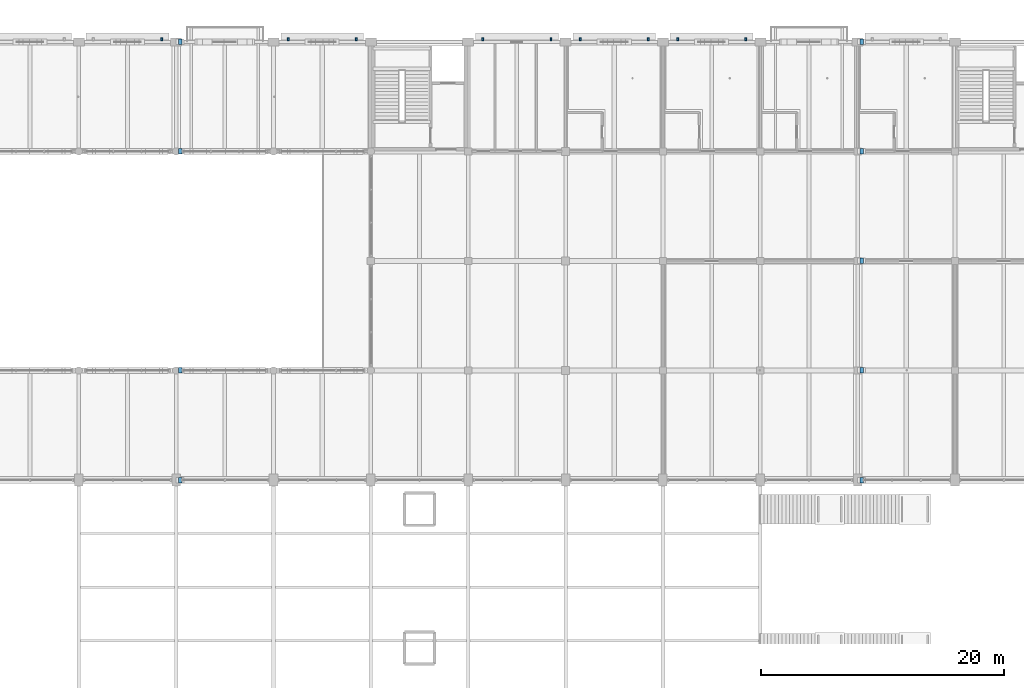
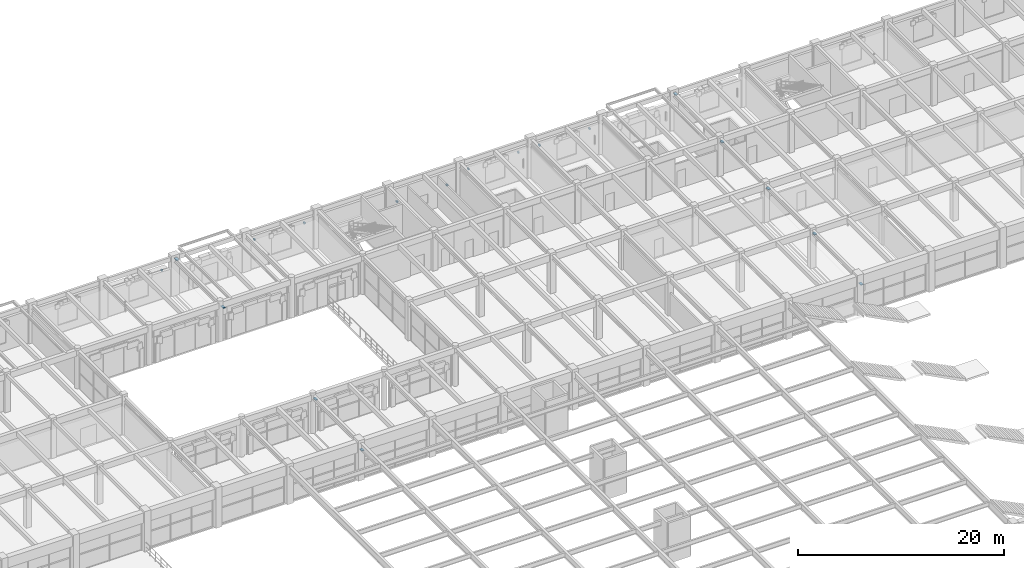
# One storey, part 131 of 144: 18 discrete accessories.
"""IFC4 building model written with IfcOpenShell, lengths in metres."""

import ifcopenshell
import ifcopenshell.guid

model = None  # the IFC model being written
_history = None  # IfcOwnerHistory: only IFC2X3 demands one
_inside = {}  # id of a spatial element -> (the spatial element, [elements in it])
_under = {}  # id of a project, library or spatial element -> (it, [spatial elements below it])
_declared = {}  # id of a project -> (the project, [libraries it declares])
_typed = {}  # id of a type object -> (the type object, [elements of that type])
_made_of = {}  # id of a material, layer set ... -> (it, [elements and type objects made of it])


def new_model(schema):
    """Start an empty IFC model of exactly this schema.

    Asked for "IFC4X3", IfcOpenShell would pick the latest addendum, in which some entities
    have other attributes; the version numbers below select the first issue.
    IFC2X3 requires an IfcOwnerHistory on every rooted entity: one is made here for all.
    """
    global model, _history
    if schema == "IFC4X3":
        model = ifcopenshell.file(schema_version=(4, 3, 0, 0))
    else:
        model = ifcopenshell.file(schema=schema)
    _inside.clear()
    _under.clear()
    _declared.clear()
    _typed.clear()
    _made_of.clear()
    _history = None
    if model.schema == "IFC2X3":
        org = make("IfcOrganization", Name="unknown")
        user = make(
            "IfcPersonAndOrganization",
            ThePerson=make("IfcPerson", FamilyName="unknown"),
            TheOrganization=org,
        )
        app = make(
            "IfcApplication",
            ApplicationDeveloper=org,
            Version="unknown",
            ApplicationFullName="unknown",
            ApplicationIdentifier="unknown",
        )
        _history = make(
            "IfcOwnerHistory",
            OwningUser=user,
            OwningApplication=app,
            ChangeAction="ADDED",
            CreationDate=0,
        )
    return model


def make(cls, **values):
    """One entity of the class cls with the attributes given. An attribute that is None is left unset."""
    return model.create_entity(
        cls, **{name: value for name, value in values.items() if value is not None}
    )


def rooted(cls, **values):
    """An entity with a GlobalId (a new one), such as an element, a storey or a relation."""
    return make(cls, GlobalId=ifcopenshell.guid.new(), OwnerHistory=_history, **values)


def si_unit(unit_type, name, prefix=None):
    """IfcSIUnit, for example si_unit("LENGTHUNIT", "METRE", prefix="MILLI")."""
    return make("IfcSIUnit", UnitType=unit_type, Prefix=prefix, Name=name)


def assignment(units):
    """IfcUnitAssignment: the units of a project."""
    return None if units is None else make("IfcUnitAssignment", Units=units)


def point(xyz):
    """IfcCartesianPoint."""
    return None if xyz is None else make("IfcCartesianPoint", Coordinates=xyz)


def direction(xyz):
    """IfcDirection."""
    return None if xyz is None else make("IfcDirection", DirectionRatios=xyz)


def frame(location, z_axis=None, x_axis=None):
    """IfcAxis2Placement3D, a coordinate frame: its origin and axes. An axis left out is left unset."""
    return make(
        "IfcAxis2Placement3D",
        Location=point(location),
        Axis=direction(z_axis),
        RefDirection=direction(x_axis),
    )


def frame_2d(location, x_axis=None):
    """IfcAxis2Placement2D, a coordinate frame in the plane: its origin and x axis."""
    return make(
        "IfcAxis2Placement2D", Location=point(location), RefDirection=direction(x_axis)
    )


def origin():
    """The frame at (0, 0, 0) with its axes left unset."""
    return frame((0.0, 0.0, 0.0))


def origin_2d():
    """The frame at (0, 0) in the plane with its x axis left unset."""
    return frame_2d((0.0, 0.0))


def place(relative_to, where):
    """IfcLocalPlacement: puts the frame where relative to a parent placement (None: the world)."""
    return make(
        "IfcLocalPlacement", PlacementRelTo=relative_to, RelativePlacement=where
    )


def context(
    kind, dimensions, precision=None, world=None, true_north=None, identifier=None
):
    """IfcGeometricRepresentationContext, for example the 3D "Model" context."""
    return make(
        "IfcGeometricRepresentationContext",
        ContextIdentifier=identifier,
        ContextType=kind,
        CoordinateSpaceDimension=dimensions,
        Precision=precision,
        WorldCoordinateSystem=world,
        TrueNorth=true_north,
    )


def subcontext(parent, identifier, kind, view, scale=None):
    """IfcGeometricRepresentationSubContext, for example "Body" below "Model"."""
    return make(
        "IfcGeometricRepresentationSubContext",
        ContextIdentifier=identifier,
        ContextType=kind,
        ParentContext=parent,
        TargetScale=scale,
        TargetView=view,
    )


def project(units=None, contexts=None):
    """IfcProject with its units and contexts."""
    return rooted(
        "IfcProject",
        Name="project",
        RepresentationContexts=contexts,
        UnitsInContext=assignment(units),
    )


def spatial(cls, under=None, at=None, **own):
    """A site, building, storey or space (cls), placed at a placement, below another one or the project."""
    s = rooted(cls, ObjectPlacement=at, **own)
    if under is not None:
        _under.setdefault(under.id(), (under, []))[1].append(s)
    return s


def profile(cls, at=None, kind="AREA", **sizes):
    """A parametric profile (cls). Its sizes go by their IFC names, for example OverallWidth=200.0."""
    return make(cls, ProfileType=kind, Position=at, **sizes)


def rectangle(**sizes):
    """IfcRectangleProfileDef."""
    return profile("IfcRectangleProfileDef", **sizes)


def extrude(swept, where, along, depth):
    """IfcExtrudedAreaSolid: the profile swept, set in the frame where, extruded along a direction by depth."""
    return make(
        "IfcExtrudedAreaSolid",
        SweptArea=swept,
        Position=where,
        ExtrudedDirection=direction(along),
        Depth=depth,
    )


def shape(context_of_items, identifier, shape_type, items):
    """IfcShapeRepresentation: the items that make up one representation, for example the "Body"."""
    return make(
        "IfcShapeRepresentation",
        ContextOfItems=context_of_items,
        RepresentationIdentifier=identifier,
        RepresentationType=shape_type,
        Items=items,
    )


def material(Name=None, Category=None):
    """IfcMaterial."""
    return make("IfcMaterial", Name=Name, Category=Category)


def layer(
    of_material, thickness, ventilated=None, Name=None, Category=None, Priority=None
):
    """IfcMaterialLayer: one layer of a wall or slab, of a material (None: an air gap)."""
    return make(
        "IfcMaterialLayer",
        Material=of_material,
        LayerThickness=thickness,
        IsVentilated=ventilated,
        Name=Name,
        Category=Category,
        Priority=Priority,
    )


def layer_set(layers, Name=None):
    """IfcMaterialLayerSet."""
    return make("IfcMaterialLayerSet", MaterialLayers=layers, LayerSetName=Name)


def made_of(thing, what):
    """Note that an element or type object is made of a material, layer set ...; save() writes the relation."""
    if what is not None:
        _made_of.setdefault(what.id(), (what, []))[1].append(thing)
    return thing


def type_object(cls, material=None, **own):
    """A type object (cls), such as IfcWallType, which elements share."""
    return made_of(rooted(cls, **own), material)


def element(
    cls,
    number,
    at=None,
    inside=None,
    cuts=None,
    type_object=None,
    material=None,
    context=None,
    identifier="Body",
    shape_type=None,
    held_by="IfcProductDefinitionShape",
    body=None,
    shapes=None,
    **own,
):
    """One element of the class cls, such as IfcWall. Its Tag is "e" and its number.

    at: its placement. inside: the storey or other place that contains it. cuts: it is an
    opening in that element (IfcRelVoidsElement). A single representation is given by context,
    identifier, shape_type and body (its items); several are given by shapes. held_by: the class
    of the entity that holds the representations. save() writes the other relations.
    """
    e = rooted(cls, Tag="e%d" % number, ObjectPlacement=at, **own)
    if body is not None:
        shapes = [shape(context, identifier, shape_type, body)]
    if shapes is not None:
        e.Representation = make(held_by, Representations=shapes)
    if inside is not None:
        _inside.setdefault(inside.id(), (inside, []))[1].append(e)
    if cuts is not None:
        rooted(
            "IfcRelVoidsElement", RelatingBuildingElement=cuts, RelatedOpeningElement=e
        )
    if type_object is not None:
        _typed.setdefault(type_object.id(), (type_object, []))[1].append(e)
    return made_of(e, material)


def aggregate(whole, parts):
    """IfcRelAggregates: a whole, such as a stair, and the parts it consists of."""
    return rooted("IfcRelAggregates", RelatingObject=whole, RelatedObjects=parts)


def save(model, path):
    """Write the relations noted so far, then the file.

    IfcRelAggregates (storeys below a building ...), IfcRelContainedInSpatialStructure (elements
    in a storey), IfcRelDefinesByType, IfcRelAssociatesMaterial and IfcRelDeclares: one each for
    every whole, place, type object, material and project.
    """
    for whole, parts in _under.values():
        aggregate(whole, parts)
    for where, things in _inside.values():
        rooted(
            "IfcRelContainedInSpatialStructure",
            RelatedElements=things,
            RelatingStructure=where,
        )
    for kind, things in _typed.values():
        rooted("IfcRelDefinesByType", RelatedObjects=things, RelatingType=kind)
    for what, things in _made_of.values():
        rooted("IfcRelAssociatesMaterial", RelatedObjects=things, RelatingMaterial=what)
    for by, libraries in _declared.values():
        rooted("IfcRelDeclares", RelatingContext=by, RelatedDefinitions=libraries)
    model.write(path)


model = new_model("IFC4")

# Units and contexts
model_context = context("Model", 3, precision=1e-05, world=origin(), true_north=direction((0.0, 1.0)))
body_context = subcontext(model_context, "Body", "Model", "MODEL_VIEW")
ifc_project = project(units=[si_unit("LENGTHUNIT", "METRE"), si_unit("AREAUNIT", "SQUARE_METRE"), si_unit("VOLUMEUNIT", "CUBIC_METRE"), si_unit("PLANEANGLEUNIT", "RADIAN"), si_unit("MASSUNIT", "GRAM", prefix="KILO")], contexts=[model_context])

# Site, building, storey
site_placement = place(None, origin())
site = spatial("IfcSite", under=ifc_project, at=site_placement, CompositionType="ELEMENT")
building_placement = place(site_placement, origin())
building = spatial("IfcBuilding", under=site, at=building_placement, Name="Varnabhumi Central Station", CompositionType="ELEMENT")
storey_placement = place(building_placement, frame((0.0, 0.0, 4.800048828125)))
storey = spatial("IfcBuildingStorey", under=building, at=storey_placement, Name="L01", CompositionType="ELEMENT", Elevation=4.800048828125)

# Discrete accessories
ifc_material = material(Name="Structural steel E350", Category="steel")
ifc_layer_1 = layer(ifc_material, 0.080078125, Name="Structural steel E350", Category="steel")
ifc_layer_set_1 = layer_set([ifc_layer_1], Name="Structural steel E350")
discrete_accessory_type_1 = type_object("IfcDiscreteAccessoryType", Name="ACC-BEARING-SHOE", PredefinedType="SHOE", material=ifc_layer_set_1)
for number, where, z_axis, x_axis, name in (
    (1, (64.324951171875, 80.0, 3.199951171875), (0.0, 0.0, 1.0), (1.0, 0.0, 0.0), "Movement Joint Bearing L01-K-9"),
    (2, (64.324951171875, 89.0, 3.77001953125), (0.0, 0.0, 1.0), (1.0, 0.0, 0.0), "Movement Joint Bearing L01-L-9"),
    (3, (64.324951171875, 107.0, 3.77001953125), (0.0, 0.0, 1.0), (1.0, 0.0, 0.0), "Movement Joint Bearing L01-N-9"),
    (4, (64.324951171875, 116.0, 3.969970703125), (0.0, 0.0, 1.0), (1.0, 0.0, 0.0), "Movement Joint Bearing L01-P-9"),
    (5, (120.324951171875, 80.0, 3.27001953125), (0.0, 0.0, 1.0), (1.0, 0.0, 0.0), "Movement Joint Bearing L01-K-16"),
    (6, (120.324951171875, 89.0, 3.77001953125), (0.0, 0.0, 1.0), (1.0, 0.0, 0.0), "Movement Joint Bearing L01-L-16"),
    (7, (120.324951171875, 98.0, 3.669921875), (0.0, 0.0, 1.0), (1.0, 0.0, 0.0), "Movement Joint Bearing L01-M-16"),
    (8, (120.324951171875, 107.0, 3.77001953125), (0.0, 0.0, 1.0), (1.0, 0.0, 0.0), "Movement Joint Bearing L01-N-16"),
    (9, (120.324951171875, 116.0, 3.969970703125), (0.0, 0.0, 1.0), (1.0, 0.0, 0.0), "Movement Joint Bearing L01-P-16"),
):
    element("IfcDiscreteAccessory", number, at=place(storey_placement, frame(where, z_axis=z_axis, x_axis=x_axis)), inside=storey, type_object=discrete_accessory_type_1, Name=name, PredefinedType="SHOE", context=body_context, shape_type="SweptSolid", body=[
        extrude(rectangle(XDim=0.300048828125, YDim=0.449951171875, at=origin_2d()), origin(), (0.0, 0.0, 1.0), 0.080078125),
    ])
ifc_layer_2 = layer(ifc_material, 0.159912109375, Name="Structural steel E350", Category="steel")
ifc_layer_set_2 = layer_set([ifc_layer_2], Name="Structural steel E350")
discrete_accessory_type_2 = type_object("IfcDiscreteAccessoryType", Name="ACC-SHADE-BRKT", PredefinedType="BRACKET", material=ifc_layer_set_2)
for number, where, z_axis, x_axis, name in (
    (10, (62.800048828125, 116.22998046875, 3.02001953125), (0.0, 0.0, 1.0), (1.0, 0.0, 0.0), "Chajja Bracket N-L01-8R"),
    (11, (73.199951171875, 116.22998046875, 3.02001953125), (0.0, 0.0, 1.0), (1.0, 0.0, 0.0), "Chajja Bracket N-L01-10L"),
    (12, (78.800048828125, 116.22998046875, 3.02001953125), (0.0, 0.0, 1.0), (1.0, 0.0, 0.0), "Chajja Bracket N-L01-10R"),
    (13, (89.199951171875, 116.22998046875, 1.919921875), (0.0, 0.0, 1.0), (1.0, 0.0, 0.0), "Chajja Bracket N-L01-12L"),
    (14, (94.800048828125, 116.22998046875, 1.919921875), (0.0, 0.0, 1.0), (1.0, 0.0, 0.0), "Chajja Bracket N-L01-12R"),
    (15, (97.199951171875, 116.22998046875, 3.02001953125), (0.0, 0.0, 1.0), (1.0, 0.0, 0.0), "Chajja Bracket N-L01-13L"),
    (16, (102.800048828125, 116.22998046875, 3.02001953125), (0.0, 0.0, 1.0), (1.0, 0.0, 0.0), "Chajja Bracket N-L01-13R"),
    (17, (105.199951171875, 116.22998046875, 3.02001953125), (0.0, 0.0, 1.0), (1.0, 0.0, 0.0), "Chajja Bracket N-L01-14L"),
    (18, (110.800048828125, 116.22998046875, 3.02001953125), (0.0, 0.0, 1.0), (1.0, 0.0, 0.0), "Chajja Bracket N-L01-14R"),
):
    element("IfcDiscreteAccessory", number, at=place(storey_placement, frame(where, z_axis=z_axis, x_axis=x_axis)), inside=storey, type_object=discrete_accessory_type_2, Name=name, PredefinedType="BRACKET", context=body_context, shape_type="SweptSolid", body=[
        extrude(rectangle(XDim=0.159912109375, YDim=0.239990234375, at=origin_2d()), origin(), (0.0, 0.0, 1.0), 0.159912109375),
    ])

save(model, "model.ifc")
